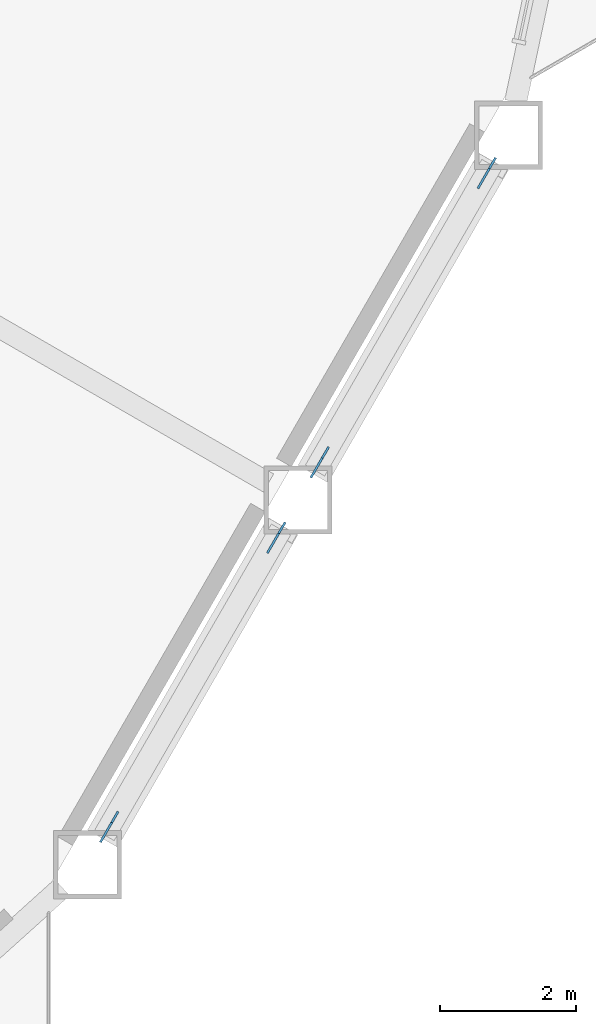
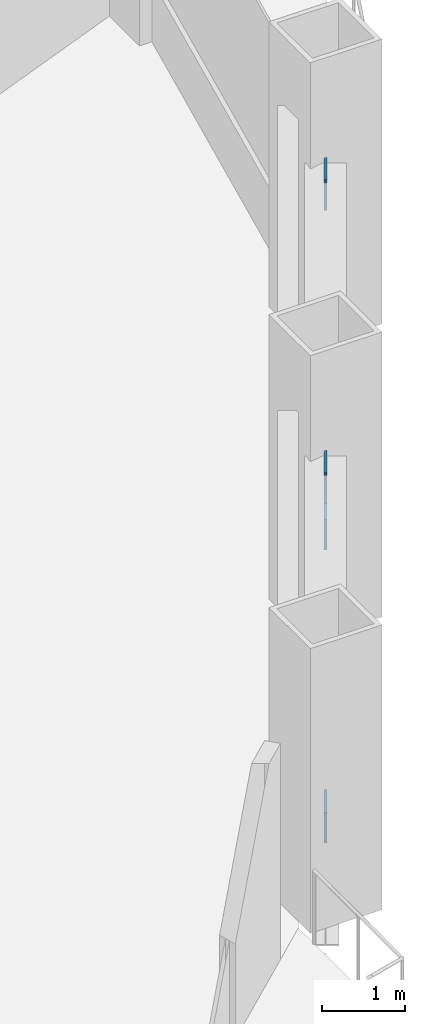
# One storey, part 15 of 21: 4 discrete accessories.
"""IFC4 building model written with IfcOpenShell, lengths in metres."""

from ifc_helpers import new_model, si_unit, direction, frame, origin, origin_2d, place, context, subcontext, project, spatial, rectangle, extrude, material, material_profile, profile_set, type_object, element, save


model = new_model("IFC4")

# Units and contexts
model_context = context("Model", 3, precision=1e-05, world=origin(), true_north=direction((0.0, 1.0)))
body_context = subcontext(model_context, "Body", "Model", "MODEL_VIEW")
ifc_project = project(units=[si_unit("LENGTHUNIT", "METRE"), si_unit("AREAUNIT", "SQUARE_METRE"), si_unit("VOLUMEUNIT", "CUBIC_METRE"), si_unit("PLANEANGLEUNIT", "RADIAN"), si_unit("MASSUNIT", "GRAM", prefix="KILO")], contexts=[model_context])

# Site, building, storey
site_placement = place(None, origin())
site = spatial("IfcSite", under=ifc_project, at=site_placement, CompositionType="ELEMENT")
building_placement = place(site_placement, origin())
building = spatial("IfcBuilding", under=site, at=building_placement, Name="Cormorant Prow Tower", CompositionType="ELEMENT")
storey_placement = place(building_placement, frame((0.0, 0.0, 51.0)))
storey = spatial("IfcBuildingStorey", under=building, at=storey_placement, Name="L10", CompositionType="ELEMENT", Elevation=51.0)

# Discrete accessories
ifc_material = material(Name="Structural steel ASTM A500 Gr C", Category="steel")
ifc_material_profile = material_profile(ifc_material, rectangle(XDim=0.031982421875, YDim=0.60791015625, at=origin_2d()), Name="Gusset plate 32x608")
ifc_profile_set = profile_set([ifc_material_profile], Name="Structural steel ASTM A500 Gr C")
discrete_accessory_type = type_object("IfcDiscreteAccessoryType", Name="Gusset plate 32x608", PredefinedType="BRACKET", material=ifc_profile_set)
discrete_accessory_1_placement = place(storey_placement, frame((25.232421875, -20.763427734375, 0.859375), z_axis=(-0.475651503409, -0.824369614413, -0.306871937683), x_axis=(0.866161185697, -0.499764745047, 0.0)))
element("IfcDiscreteAccessory", 1, at=discrete_accessory_1_placement, inside=storey, type_object=discrete_accessory_type, Name="Gusset plate GP1 L10.ESE00.g0", PredefinedType="BRACKET", context=body_context, shape_type="SweptSolid", body=[
    extrude(rectangle(XDim=0.031982421875, YDim=0.60791015625, at=origin_2d()), origin(), (0.0, 0.0, 1.0), 0.35009765625),
])
for number, where, z_axis, x_axis, name in (
    (2, (27.512939453125, -16.813232421875, 2.32958984375), (0.476464602218, 0.823872174553, 0.306946449452), (-0.865660382551, 0.500631703033, 0.0), "Gusset plate GP1 L10.ESE00.g1"),
    (3, (28.3173828125, -15.42041015625, 0.859375), (-0.476464602218, -0.823872174553, -0.306946449452), (0.865660382551, -0.500631703033, 0.0), "Gusset plate GP1 L10.ESE01.g0"),
):
    element("IfcDiscreteAccessory", number, at=place(storey_placement, frame(where, z_axis=z_axis, x_axis=x_axis)), inside=storey, type_object=discrete_accessory_type, Name=name, PredefinedType="BRACKET", context=body_context, shape_type="SweptSolid", body=[
        extrude(rectangle(XDim=0.031982421875, YDim=0.60791015625, at=origin_2d()), origin(), (0.0, 0.0, 1.0), 0.349853515625),
    ])
discrete_accessory_2_placement = place(storey_placement, frame((30.597900390625, -11.47021484375, 2.32958984375), z_axis=(0.475651503409, 0.824369614413, 0.306871937683), x_axis=(-0.866161185697, 0.499764745047, 0.0)))
element("IfcDiscreteAccessory", 4, at=discrete_accessory_2_placement, inside=storey, type_object=discrete_accessory_type, Name="Gusset plate GP1 L10.ESE01.g1", PredefinedType="BRACKET", context=body_context, shape_type="SweptSolid", body=[
    extrude(rectangle(XDim=0.031982421875, YDim=0.60791015625, at=origin_2d()), origin(), (0.0, 0.0, 1.0), 0.35009765625),
])

save(model, "model.ifc")
